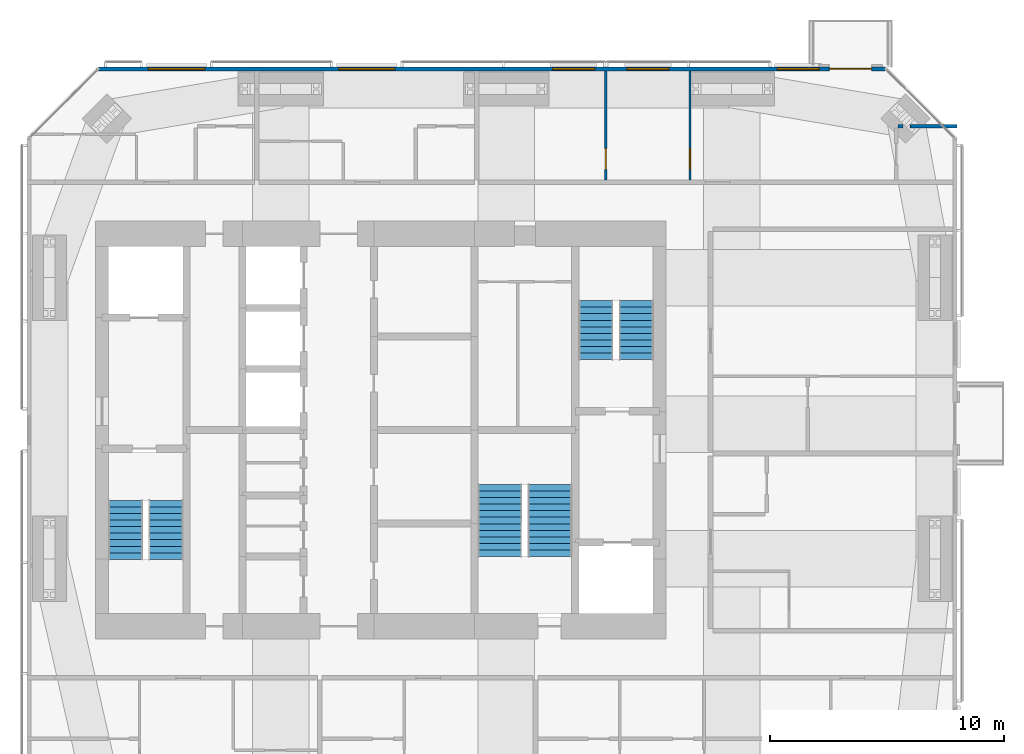
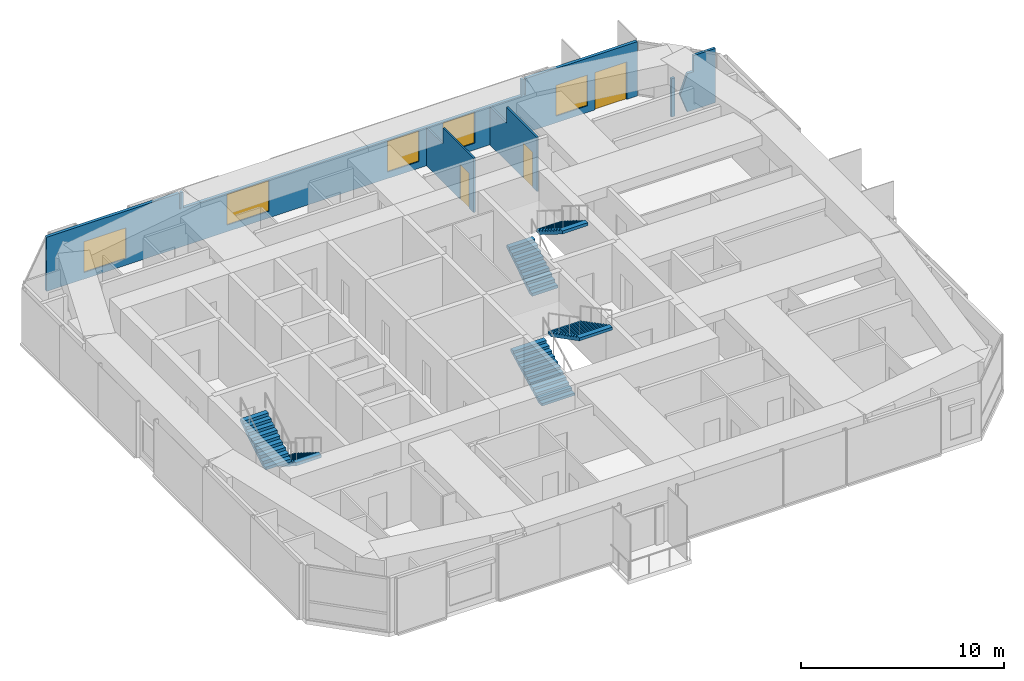
# One storey, part 17 of 18: 6 stair flights, 5 walls, 5 windows, 3 doors, 8 openings, 3 elements without a shape of their own.
"""IFC4 building model written with IfcOpenShell, lengths in metres."""

import ifcopenshell
import ifcopenshell.guid

model = None  # the IFC model being written
_history = None  # IfcOwnerHistory: only IFC2X3 demands one
_inside = {}  # id of a spatial element -> (the spatial element, [elements in it])
_under = {}  # id of a project, library or spatial element -> (it, [spatial elements below it])
_declared = {}  # id of a project -> (the project, [libraries it declares])
_typed = {}  # id of a type object -> (the type object, [elements of that type])
_made_of = {}  # id of a material, layer set ... -> (it, [elements and type objects made of it])


def new_model(schema):
    """Start an empty IFC model of exactly this schema.

    Asked for "IFC4X3", IfcOpenShell would pick the latest addendum, in which some entities
    have other attributes; the version numbers below select the first issue.
    IFC2X3 requires an IfcOwnerHistory on every rooted entity: one is made here for all.
    """
    global model, _history
    if schema == "IFC4X3":
        model = ifcopenshell.file(schema_version=(4, 3, 0, 0))
    else:
        model = ifcopenshell.file(schema=schema)
    _inside.clear()
    _under.clear()
    _declared.clear()
    _typed.clear()
    _made_of.clear()
    _history = None
    if model.schema == "IFC2X3":
        org = make("IfcOrganization", Name="unknown")
        user = make(
            "IfcPersonAndOrganization",
            ThePerson=make("IfcPerson", FamilyName="unknown"),
            TheOrganization=org,
        )
        app = make(
            "IfcApplication",
            ApplicationDeveloper=org,
            Version="unknown",
            ApplicationFullName="unknown",
            ApplicationIdentifier="unknown",
        )
        _history = make(
            "IfcOwnerHistory",
            OwningUser=user,
            OwningApplication=app,
            ChangeAction="ADDED",
            CreationDate=0,
        )
    return model


def make(cls, **values):
    """One entity of the class cls with the attributes given. An attribute that is None is left unset."""
    return model.create_entity(
        cls, **{name: value for name, value in values.items() if value is not None}
    )


def rooted(cls, **values):
    """An entity with a GlobalId (a new one), such as an element, a storey or a relation."""
    return make(cls, GlobalId=ifcopenshell.guid.new(), OwnerHistory=_history, **values)


def si_unit(unit_type, name, prefix=None):
    """IfcSIUnit, for example si_unit("LENGTHUNIT", "METRE", prefix="MILLI")."""
    return make("IfcSIUnit", UnitType=unit_type, Prefix=prefix, Name=name)


def assignment(units):
    """IfcUnitAssignment: the units of a project."""
    return None if units is None else make("IfcUnitAssignment", Units=units)


def point(xyz):
    """IfcCartesianPoint."""
    return None if xyz is None else make("IfcCartesianPoint", Coordinates=xyz)


def direction(xyz):
    """IfcDirection."""
    return None if xyz is None else make("IfcDirection", DirectionRatios=xyz)


def frame(location, z_axis=None, x_axis=None):
    """IfcAxis2Placement3D, a coordinate frame: its origin and axes. An axis left out is left unset."""
    return make(
        "IfcAxis2Placement3D",
        Location=point(location),
        Axis=direction(z_axis),
        RefDirection=direction(x_axis),
    )


def frame_2d(location, x_axis=None):
    """IfcAxis2Placement2D, a coordinate frame in the plane: its origin and x axis."""
    return make(
        "IfcAxis2Placement2D", Location=point(location), RefDirection=direction(x_axis)
    )


def origin():
    """The frame at (0, 0, 0) with its axes left unset."""
    return frame((0.0, 0.0, 0.0))


def place(relative_to, where):
    """IfcLocalPlacement: puts the frame where relative to a parent placement (None: the world)."""
    return make(
        "IfcLocalPlacement", PlacementRelTo=relative_to, RelativePlacement=where
    )


def context(
    kind, dimensions, precision=None, world=None, true_north=None, identifier=None
):
    """IfcGeometricRepresentationContext, for example the 3D "Model" context."""
    return make(
        "IfcGeometricRepresentationContext",
        ContextIdentifier=identifier,
        ContextType=kind,
        CoordinateSpaceDimension=dimensions,
        Precision=precision,
        WorldCoordinateSystem=world,
        TrueNorth=true_north,
    )


def subcontext(parent, identifier, kind, view, scale=None):
    """IfcGeometricRepresentationSubContext, for example "Body" below "Model"."""
    return make(
        "IfcGeometricRepresentationSubContext",
        ContextIdentifier=identifier,
        ContextType=kind,
        ParentContext=parent,
        TargetScale=scale,
        TargetView=view,
    )


def project(units=None, contexts=None):
    """IfcProject with its units and contexts."""
    return rooted(
        "IfcProject",
        Name="project",
        RepresentationContexts=contexts,
        UnitsInContext=assignment(units),
    )


def spatial(cls, under=None, at=None, **own):
    """A site, building, storey or space (cls), placed at a placement, below another one or the project."""
    s = rooted(cls, ObjectPlacement=at, **own)
    if under is not None:
        _under.setdefault(under.id(), (under, []))[1].append(s)
    return s


def polyline(points):
    """IfcPolyline through the points."""
    return make("IfcPolyline", Points=[point(p) for p in points])


def profile(cls, at=None, kind="AREA", **sizes):
    """A parametric profile (cls). Its sizes go by their IFC names, for example OverallWidth=200.0."""
    return make(cls, ProfileType=kind, Position=at, **sizes)


def rectangle(**sizes):
    """IfcRectangleProfileDef."""
    return profile("IfcRectangleProfileDef", **sizes)


def outline(outer, holes=None, kind="AREA"):
    """IfcArbitraryClosedProfileDef: a profile drawn as a closed curve; with holes, ...WithVoids."""
    if holes is None:
        return make("IfcArbitraryClosedProfileDef", ProfileType=kind, OuterCurve=outer)
    return make(
        "IfcArbitraryProfileDefWithVoids",
        ProfileType=kind,
        OuterCurve=outer,
        InnerCurves=holes,
    )


def extrude(swept, where, along, depth):
    """IfcExtrudedAreaSolid: the profile swept, set in the frame where, extruded along a direction by depth."""
    return make(
        "IfcExtrudedAreaSolid",
        SweptArea=swept,
        Position=where,
        ExtrudedDirection=direction(along),
        Depth=depth,
    )


def shape(context_of_items, identifier, shape_type, items):
    """IfcShapeRepresentation: the items that make up one representation, for example the "Body"."""
    return make(
        "IfcShapeRepresentation",
        ContextOfItems=context_of_items,
        RepresentationIdentifier=identifier,
        RepresentationType=shape_type,
        Items=items,
    )


def material(Name=None, Category=None):
    """IfcMaterial."""
    return make("IfcMaterial", Name=Name, Category=Category)


def constituent(of_material, Name=None, Category=None, fraction=None):
    """IfcMaterialConstituent: one of the materials an element consists of."""
    return make(
        "IfcMaterialConstituent",
        Name=Name,
        Material=of_material,
        Fraction=fraction,
        Category=Category,
    )


def constituent_set(constituents=None, Name=None):
    """IfcMaterialConstituentSet."""
    return make(
        "IfcMaterialConstituentSet", Name=Name, MaterialConstituents=constituents
    )


def made_of(thing, what):
    """Note that an element or type object is made of a material, layer set ...; save() writes the relation."""
    if what is not None:
        _made_of.setdefault(what.id(), (what, []))[1].append(thing)
    return thing


def type_object(cls, material=None, **own):
    """A type object (cls), such as IfcWallType, which elements share."""
    return made_of(rooted(cls, **own), material)


def element(
    cls,
    number,
    at=None,
    inside=None,
    cuts=None,
    type_object=None,
    material=None,
    context=None,
    identifier="Body",
    shape_type=None,
    held_by="IfcProductDefinitionShape",
    body=None,
    shapes=None,
    **own,
):
    """One element of the class cls, such as IfcWall. Its Tag is "e" and its number.

    at: its placement. inside: the storey or other place that contains it. cuts: it is an
    opening in that element (IfcRelVoidsElement). A single representation is given by context,
    identifier, shape_type and body (its items); several are given by shapes. held_by: the class
    of the entity that holds the representations. save() writes the other relations.
    """
    e = rooted(cls, Tag="e%d" % number, ObjectPlacement=at, **own)
    if body is not None:
        shapes = [shape(context, identifier, shape_type, body)]
    if shapes is not None:
        e.Representation = make(held_by, Representations=shapes)
    if inside is not None:
        _inside.setdefault(inside.id(), (inside, []))[1].append(e)
    if cuts is not None:
        rooted(
            "IfcRelVoidsElement", RelatingBuildingElement=cuts, RelatedOpeningElement=e
        )
    if type_object is not None:
        _typed.setdefault(type_object.id(), (type_object, []))[1].append(e)
    return made_of(e, material)


def fill(opening, filler):
    """IfcRelFillsElement: the door or window that sits in an opening."""
    return rooted(
        "IfcRelFillsElement",
        RelatingOpeningElement=opening,
        RelatedBuildingElement=filler,
    )


def aggregate(whole, parts):
    """IfcRelAggregates: a whole, such as a stair, and the parts it consists of."""
    return rooted("IfcRelAggregates", RelatingObject=whole, RelatedObjects=parts)


def save(model, path):
    """Write the relations noted so far, then the file.

    IfcRelAggregates (storeys below a building ...), IfcRelContainedInSpatialStructure (elements
    in a storey), IfcRelDefinesByType, IfcRelAssociatesMaterial and IfcRelDeclares: one each for
    every whole, place, type object, material and project.
    """
    for whole, parts in _under.values():
        aggregate(whole, parts)
    for where, things in _inside.values():
        rooted(
            "IfcRelContainedInSpatialStructure",
            RelatedElements=things,
            RelatingStructure=where,
        )
    for kind, things in _typed.values():
        rooted("IfcRelDefinesByType", RelatedObjects=things, RelatingType=kind)
    for what, things in _made_of.values():
        rooted("IfcRelAssociatesMaterial", RelatedObjects=things, RelatingMaterial=what)
    for by, libraries in _declared.values():
        rooted("IfcRelDeclares", RelatingContext=by, RelatedDefinitions=libraries)
    model.write(path)


model = new_model("IFC4")

# Units and contexts
model_context = context("Model", 3, precision=1e-05, world=origin(), true_north=direction((0.0, 1.0)))
body_context = subcontext(model_context, "Body", "Model", "MODEL_VIEW")
ifc_project = project(units=[si_unit("LENGTHUNIT", "METRE"), si_unit("AREAUNIT", "SQUARE_METRE"), si_unit("VOLUMEUNIT", "CUBIC_METRE"), si_unit("PLANEANGLEUNIT", "RADIAN"), si_unit("MASSUNIT", "GRAM", prefix="KILO")], contexts=[model_context])

# Site, building, storey
site_placement = place(None, origin())
site = spatial("IfcSite", under=ifc_project, at=site_placement, CompositionType="ELEMENT")
building_placement = place(site_placement, origin())
building = spatial("IfcBuilding", under=site, at=building_placement, Name="Jalousie Tower", CompositionType="ELEMENT")
storey_placement = place(building_placement, frame((0.0, 0.0, 235.449951171875)))
storey = spatial("IfcBuildingStorey", under=building, at=storey_placement, Name="L64", CompositionType="ELEMENT", Elevation=235.449951171875)

# Walls
ifc_material_1 = material(Name="Concrete block ASTM C90", Category="concrete")
ifc_constituent_1 = constituent(ifc_material_1, Name="Body")
ifc_material_2 = material(Name="Render")
ifc_constituent_2 = constituent(ifc_material_2, Name="Finish")
ifc_constituent_set_1 = constituent_set(constituents=[ifc_constituent_1, ifc_constituent_2])
wall_type_1 = type_object("IfcWallType", Name="BATHROOM WALL 150", PredefinedType="PLUMBINGWALL", material=ifc_constituent_set_1)
wall_1_placement = place(storey_placement, frame((53.97509765625, 31.47509765625, 0.0), z_axis=(0.0, 0.0, 1.0), x_axis=(1.0, 0.0, 0.0)))
element("IfcWall", 1, at=wall_1_placement, inside=storey, type_object=wall_type_1, Name="Bathroom Wall 150 L64-A", PredefinedType="PLUMBINGWALL", context=body_context, shape_type="SweptSolid", body=[
    extrude(rectangle(XDim=0.216796875, YDim=0.14990234375, at=frame_2d((0.1083984375, 0.0))), origin(), (0.0, 0.0, 1.0), 2.300048828125),
])
wall_2_placement = place(storey_placement, frame((54.4833984375, 31.47509765625, 0.0), z_axis=(0.0, 0.0, 1.0), x_axis=(1.0, 0.0, 0.0)))
element("IfcWall", 2, at=wall_2_placement, inside=storey, type_object=wall_type_1, Name="Bathroom Wall 150 L64-B", PredefinedType="PLUMBINGWALL", context=body_context, shape_type="SweptSolid", body=[
    extrude(outline(polyline([(0.768310546875, 3.260009765625), (0.768310546875, 2.300048828125), (0.4072265625, 2.300048828125), (0.39599609375, 2.2392578125), (0.0, 1.150146484375), (0.39599609375, 0.06103515625), (0.4072265625, 0.0), (2.0166015625, 0.0), (2.0166015625, 3.260009765625), (0.768310546875, 3.260009765625)])), frame((0.0, 0.074951171875, 0.0), z_axis=(0.0, -1.0, 0.0), x_axis=(1.0, 0.0, 0.0)), (0.0, 0.0, 1.0), 0.14990234375),
])

# Wall, openings, door, windows
ifc_material_3 = material(Name="Concrete f'c 40 MPa", Category="concrete")
ifc_constituent_3 = constituent(ifc_material_3, Name="Body")
ifc_material_4 = material(Name="Render, pastel sky blue")
ifc_constituent_4 = constituent(ifc_material_4, Name="Finish")
ifc_constituent_set_2 = constituent_set(constituents=[ifc_constituent_3, ifc_constituent_4])
wall_type_2 = type_object("IfcWallType", Name="EXTERNAL WALL 175 SKY BLUE RENDER", PredefinedType="SOLIDWALL", material=ifc_constituent_set_2)
wall_3_placement = place(storey_placement, frame((53.44873046875, 33.91259765625, 0.0), z_axis=(0.0, 0.0, 1.0), x_axis=(-1.0, 0.0, 0.0)))
wall_3 = element("IfcWall", 3, at=wall_3_placement, inside=storey, type_object=wall_type_2, Name="External Wall 175 Sky Blue Render L64", PredefinedType="SOLIDWALL", context=body_context, shape_type="SweptSolid", body=[
    extrude(outline(polyline([(0.0, 0.0), (33.597412109375, 0.0), (33.597412109375, 3.260009765625), (26.03857421875, 3.260009765625), (26.03857421875, 2.300048828125), (25.955078125, 2.300048828125), (25.955078125, 3.260009765625), (25.82373046875, 3.260009765625), (25.82373046875, 2.300048828125), (6.57373046875, 2.300048828125), (6.57373046875, 3.260009765625), (6.4423828125, 3.260009765625), (6.4423828125, 2.300048828125), (6.35888671875, 2.300048828125), (6.35888671875, 3.260009765625), (0.0, 3.260009765625), (0.0, 0.0)])), frame((0.0, 0.08740234375, 0.0), z_axis=(0.0, -1.0, 0.0), x_axis=(1.0, 0.0, 0.0)), (0.0, 0.0, 1.0), 0.175048828125),
])
opening_1_placement = place(wall_3_placement, frame((0.60009765625, 0.0, 0.0)))
opening_1 = element("IfcOpeningElement", 4, at=opening_1_placement, cuts=wall_3, Name="Opening D-BAL22", PredefinedType="OPENING", context=body_context, shape_type="SweptSolid", body=[
    extrude(rectangle(XDim=1.800048828125, YDim=2.25, at=frame_2d((0.89990234375, 1.125))), frame((0.0, 0.097412109375, 0.0), z_axis=(0.0, -1.0, 0.0), x_axis=(1.0, 0.0, 0.0)), (0.0, 0.0, 1.0), 0.195068359375),
])
opening_2_placement = place(wall_3_placement, frame((2.835205078125, 0.0, 0.39990234375)))
opening_2 = element("IfcOpeningElement", 5, at=opening_2_placement, cuts=wall_3, Name="Opening W-BED185", PredefinedType="OPENING", context=body_context, shape_type="SweptSolid", body=[
    extrude(rectangle(XDim=1.800048828125, YDim=1.85009765625, at=frame_2d((0.89990234375, 0.925048828125))), frame((0.0, 0.097412109375, 0.0), z_axis=(0.0, -1.0, 0.0), x_axis=(1.0, 0.0, 0.0)), (0.0, 0.0, 1.0), 0.195068359375),
])
opening_3_placement = place(wall_3_placement, frame((9.248779296875, 0.0, 0.39990234375)))
opening_3 = element("IfcOpeningElement", 6, at=opening_3_placement, cuts=wall_3, Name="Opening W-BED185", PredefinedType="OPENING", context=body_context, shape_type="SweptSolid", body=[
    extrude(rectangle(XDim=1.800048828125, YDim=1.85009765625, at=frame_2d((0.89990234375, 0.925048828125))), frame((0.0, 0.097412109375, 0.0), z_axis=(0.0, -1.0, 0.0), x_axis=(1.0, 0.0, 0.0)), (0.0, 0.0, 1.0), 0.195068359375),
])
opening_4_placement = place(wall_3_placement, frame((12.419921875, 0.0, 0.39990234375)))
opening_4 = element("IfcOpeningElement", 7, at=opening_4_placement, cuts=wall_3, Name="Opening W-BED185", PredefinedType="OPENING", context=body_context, shape_type="SweptSolid", body=[
    extrude(rectangle(XDim=1.800048828125, YDim=1.85009765625, at=frame_2d((0.89990234375, 0.925048828125))), frame((0.0, 0.097412109375, 0.0), z_axis=(0.0, -1.0, 0.0), x_axis=(1.0, 0.0, 0.0)), (0.0, 0.0, 1.0), 0.195068359375),
])
opening_5_placement = place(wall_3_placement, frame((20.94873046875, 0.0, 0.39990234375)))
opening_5 = element("IfcOpeningElement", 8, at=opening_5_placement, cuts=wall_3, Name="Opening W-LIV185", PredefinedType="OPENING", context=body_context, shape_type="SweptSolid", body=[
    extrude(rectangle(XDim=2.39990234375, YDim=1.85009765625, at=frame_2d((1.199951171875, 0.925048828125))), frame((0.0, 0.097412109375, 0.0), z_axis=(0.0, -1.0, 0.0), x_axis=(1.0, 0.0, 0.0)), (0.0, 0.0, 1.0), 0.195068359375),
])
opening_6_placement = place(wall_3_placement, frame((29.072998046875, 0.0, 0.39990234375)))
opening_6 = element("IfcOpeningElement", 9, at=opening_6_placement, cuts=wall_3, Name="Opening W-LIV185", PredefinedType="OPENING", context=body_context, shape_type="SweptSolid", body=[
    extrude(rectangle(XDim=2.39990234375, YDim=1.85009765625, at=frame_2d((1.199951171875, 0.925048828125))), frame((0.0, 0.097412109375, 0.0), z_axis=(0.0, -1.0, 0.0), x_axis=(1.0, 0.0, 0.0)), (0.0, 0.0, 1.0), 0.195068359375),
])
ifc_material_5 = material(Name="Aluminium frame, impact-rated glazing", Category="aluminium")
door_type_1 = type_object("IfcDoorType", Name="BALCONY DOOR 1800x2250", OperationType="SLIDING_TO_LEFT", PredefinedType="DOOR", material=ifc_material_5)
door_1_placement = place(opening_1_placement, origin())
door_1 = element("IfcDoor", 10, at=door_1_placement, inside=storey, type_object=door_type_1, Name="Apartment 6406 living, dining and kitchen balcony door", OperationType="SLIDING_TO_LEFT", OverallHeight=2.25, OverallWidth=1.800048828125, PredefinedType="DOOR", context=body_context, shape_type="SweptSolid", body=[
    extrude(rectangle(XDim=1.800048828125, YDim=2.25, at=frame_2d((0.89990234375, 1.125))), frame((0.0, 0.02490234375, 0.0), z_axis=(0.0, -1.0, 0.0), x_axis=(1.0, 0.0, 0.0)), (0.0, 0.0, 1.0), 0.050048828125),
])
fill(opening_1, door_1)
ifc_material_6 = material(Name="Aluminium frame, impact-rated glazing", Category="aluminium")
window_type_1 = type_object("IfcWindowType", Name="WINDOW BED 1800x1850", PartitioningType="SINGLE_PANEL", PredefinedType="WINDOW", material=ifc_material_6)
window_1_placement = place(opening_2_placement, origin())
window_1 = element("IfcWindow", 11, at=window_1_placement, inside=storey, type_object=window_type_1, Name="Apartment 6406 living, dining and kitchen window", OverallHeight=1.85009765625, OverallWidth=1.800048828125, PartitioningType="SINGLE_PANEL", PredefinedType="WINDOW", context=body_context, shape_type="SweptSolid", body=[
    extrude(rectangle(XDim=1.800048828125, YDim=1.85009765625, at=frame_2d((0.89990234375, 0.925048828125))), frame((0.0, 0.030029296875, 0.0), z_axis=(0.0, -1.0, 0.0), x_axis=(1.0, 0.0, 0.0)), (0.0, 0.0, 1.0), 0.06005859375),
])
fill(opening_2, window_1)
window_2_placement = place(opening_3_placement, origin())
window_2 = element("IfcWindow", 12, at=window_2_placement, inside=storey, type_object=window_type_1, Name="Apartment 6406 bedroom 2 window", OverallHeight=1.85009765625, OverallWidth=1.800048828125, PartitioningType="SINGLE_PANEL", PredefinedType="WINDOW", context=body_context, shape_type="SweptSolid", body=[
    extrude(rectangle(XDim=1.800048828125, YDim=1.85009765625, at=frame_2d((0.89990234375, 0.925048828125))), frame((0.0, 0.030029296875, 0.0), z_axis=(0.0, -1.0, 0.0), x_axis=(1.0, 0.0, 0.0)), (0.0, 0.0, 1.0), 0.06005859375),
])
fill(opening_3, window_2)
window_3_placement = place(opening_4_placement, origin())
window_3 = element("IfcWindow", 13, at=window_3_placement, inside=storey, type_object=window_type_1, Name="Apartment 6406 bedroom 1 window", OverallHeight=1.85009765625, OverallWidth=1.800048828125, PartitioningType="SINGLE_PANEL", PredefinedType="WINDOW", context=body_context, shape_type="SweptSolid", body=[
    extrude(rectangle(XDim=1.800048828125, YDim=1.85009765625, at=frame_2d((0.89990234375, 0.925048828125))), frame((0.0, 0.030029296875, 0.0), z_axis=(0.0, -1.0, 0.0), x_axis=(1.0, 0.0, 0.0)), (0.0, 0.0, 1.0), 0.06005859375),
])
fill(opening_4, window_3)
ifc_material_7 = material(Name="Aluminium frame, impact-rated glazing", Category="aluminium")
window_type_2 = type_object("IfcWindowType", Name="WINDOW LIV 2400x1850", PartitioningType="DOUBLE_PANEL_VERTICAL", PredefinedType="WINDOW", material=ifc_material_7)
window_4_placement = place(opening_5_placement, origin())
window_4 = element("IfcWindow", 14, at=window_4_placement, inside=storey, type_object=window_type_2, Name="Apartment 6405 studio living and sleeping room window", OverallHeight=1.85009765625, OverallWidth=2.39990234375, PartitioningType="SINGLE_PANEL", PredefinedType="WINDOW", context=body_context, shape_type="SweptSolid", body=[
    extrude(rectangle(XDim=2.39990234375, YDim=1.85009765625, at=frame_2d((1.199951171875, 0.925048828125))), frame((0.0, 0.030029296875, 0.0), z_axis=(0.0, -1.0, 0.0), x_axis=(1.0, 0.0, 0.0)), (0.0, 0.0, 1.0), 0.06005859375),
])
fill(opening_5, window_4)
window_5_placement = place(opening_6_placement, origin())
window_5 = element("IfcWindow", 15, at=window_5_placement, inside=storey, type_object=window_type_2, Name="Apartment 6404 studio living and sleeping room window", OverallHeight=1.85009765625, OverallWidth=2.39990234375, PartitioningType="SINGLE_PANEL", PredefinedType="WINDOW", context=body_context, shape_type="SweptSolid", body=[
    extrude(rectangle(XDim=2.39990234375, YDim=1.85009765625, at=frame_2d((1.199951171875, 0.925048828125))), frame((0.0, 0.030029296875, 0.0), z_axis=(0.0, -1.0, 0.0), x_axis=(1.0, 0.0, 0.0)), (0.0, 0.0, 1.0), 0.06005859375),
])
fill(opening_6, window_5)

# Wall, opening, door
ifc_material_8 = material(Name="Gypsum board", Category="gypsum")
ifc_constituent_5 = constituent(ifc_material_8, Name="Body")
ifc_material_9 = material(Name="Light-gauge steel studs ASTM A653 SS Grade 33", Category="steel")
ifc_constituent_6 = constituent(ifc_material_9, Name="Framing")
ifc_constituent_set_3 = constituent_set(constituents=[ifc_constituent_5, ifc_constituent_6])
wall_type_3 = type_object("IfcWallType", Name="PARTITION 100", PredefinedType="PARTITIONING", material=ifc_constituent_set_3)
wall_4_placement = place(storey_placement, frame((41.5, 33.824951171875, 0.0), z_axis=(0.0, 0.0, 1.0), x_axis=(0.0, -1.0, 0.0)))
wall_4 = element("IfcWall", 16, at=wall_4_placement, inside=storey, type_object=wall_type_3, Name="Partition 100 L64", PredefinedType="PARTITIONING", context=body_context, shape_type="SweptSolid", body=[
    extrude(outline(polyline([(0.0, 0.0), (4.64990234375, 0.0), (4.64990234375, 3.260009765625), (1.635009765625, 3.260009765625), (1.635009765625, 2.300048828125), (0.0, 2.300048828125), (0.0, 3.260009765625), (0.0, 0.0)])), frame((0.0, 0.050048828125, 0.0), z_axis=(0.0, -1.0, 0.0), x_axis=(1.0, 0.0, 0.0)), (0.0, 0.0, 1.0), 0.10009765625),
])
opening_7_placement = place(wall_4_placement, frame((3.300048828125, 0.0, 0.0)))
opening_7 = element("IfcOpeningElement", 17, at=opening_7_placement, cuts=wall_4, Name="Opening D2", PredefinedType="OPENING", context=body_context, shape_type="SweptSolid", body=[
    extrude(rectangle(XDim=0.89990234375, YDim=2.10009765625, at=frame_2d((0.449951171875, 1.050048828125))), frame((0.0, 0.06005859375, 0.0), z_axis=(0.0, -1.0, 0.0), x_axis=(1.0, 0.0, 0.0)), (0.0, 0.0, 1.0), 0.1201171875),
])
ifc_material_10 = material(Name="Timber door", Category="wood")
door_type_2 = type_object("IfcDoorType", Name="BEDROOM DOOR 900", OperationType="SINGLE_SWING_LEFT", PredefinedType="DOOR", material=ifc_material_10)
door_2_placement = place(opening_7_placement, frame((0.89990234375, 0.0, 0.0), z_axis=(0.0, 0.0, 1.0), x_axis=(-1.0, 0.0, 0.0)))
door_2 = element("IfcDoor", 18, at=door_2_placement, inside=storey, type_object=door_type_2, Name="Apartment 6406 bedroom 1 door", OperationType="SINGLE_SWING_LEFT", OverallHeight=2.10009765625, OverallWidth=0.89990234375, PredefinedType="DOOR", context=body_context, shape_type="SweptSolid", body=[
    extrude(rectangle(XDim=0.89990234375, YDim=2.10009765625, at=frame_2d((0.449951171875, 1.050048828125))), frame((0.0, 0.02490234375, 0.0), z_axis=(0.0, -1.0, 0.0), x_axis=(1.0, 0.0, 0.0)), (0.0, 0.0, 1.0), 0.050048828125),
])
fill(opening_7, door_2)

wall_5_placement = place(storey_placement, frame((45.10009765625, 33.824951171875, 0.0), z_axis=(0.0, 0.0, 1.0), x_axis=(0.0, -1.0, 0.0)))
wall_5 = element("IfcWall", 19, at=wall_5_placement, inside=storey, type_object=wall_type_3, Name="Partition 100 L64", PredefinedType="PARTITIONING", context=body_context, shape_type="SweptSolid", body=[
    extrude(outline(polyline([(0.0, 0.0), (4.64990234375, 0.0), (4.64990234375, 3.260009765625), (1.635009765625, 3.260009765625), (1.635009765625, 2.300048828125), (0.0, 2.300048828125), (0.0, 3.260009765625), (0.0, 0.0)])), frame((0.0, 0.050048828125, 0.0), z_axis=(0.0, -1.0, 0.0), x_axis=(1.0, 0.0, 0.0)), (0.0, 0.0, 1.0), 0.10009765625),
])
opening_8_placement = place(wall_5_placement, frame((3.300048828125, 0.0, 0.0)))
opening_8 = element("IfcOpeningElement", 20, at=opening_8_placement, cuts=wall_5, Name="Opening D2", PredefinedType="OPENING", context=body_context, shape_type="SweptSolid", body=[
    extrude(rectangle(XDim=0.89990234375, YDim=2.10009765625, at=frame_2d((0.449951171875, 1.050048828125))), frame((0.0, 0.06005859375, 0.0), z_axis=(0.0, -1.0, 0.0), x_axis=(1.0, 0.0, 0.0)), (0.0, 0.0, 1.0), 0.1201171875),
])
door_3_placement = place(opening_8_placement, frame((0.89990234375, 0.0, 0.0), z_axis=(0.0, 0.0, 1.0), x_axis=(-1.0, 0.0, 0.0)))
door_3 = element("IfcDoor", 21, at=door_3_placement, inside=storey, type_object=door_type_2, Name="Apartment 6406 bedroom 2 door", OperationType="SINGLE_SWING_LEFT", OverallHeight=2.10009765625, OverallWidth=0.89990234375, PredefinedType="DOOR", context=body_context, shape_type="SweptSolid", body=[
    extrude(rectangle(XDim=0.89990234375, YDim=2.10009765625, at=frame_2d((0.449951171875, 1.050048828125))), frame((0.0, 0.02490234375, 0.0), z_axis=(0.0, -1.0, 0.0), x_axis=(1.0, 0.0, 0.0)), (0.0, 0.0, 1.0), 0.050048828125),
])
fill(opening_8, door_3)

# Stair, stair flights
ifc_material_11 = material(Name="Concrete f'c 40 MPa", Category="concrete")
stair_type = type_object("IfcStairType", Name="EXIT STAIR", PredefinedType="HALF_TURN_STAIR", material=ifc_material_11)
stair_1_placement = place(storey_placement, origin())
stair_1 = element("IfcStair", 22, at=stair_1_placement, inside=storey, type_object=stair_type, Name="Exit stair A L64", PredefinedType="HALF_TURN_STAIR")
ifc_material_12 = material(Name="Concrete f'c 40 MPa", Category="concrete")
stair_flight_type = type_object("IfcStairFlightType", Name="STAIR FLIGHT", PredefinedType="STRAIGHT", material=ifc_material_12)
stair_flight_1_placement = place(storey_placement, frame((22.71875, 15.49755859375, 0.0), z_axis=(0.0, 0.0, 1.0), x_axis=(0.0, -1.0, 0.0)))
stair_flight_1 = element("IfcStairFlight", 23, at=stair_flight_1_placement, type_object=stair_flight_type, Name="ST-A flight 1", NumberOfRisers=10, NumberOfTreads=9, PredefinedType="STRAIGHT", RiserHeight=0.175, TreadLength=0.28, context=body_context, shape_type="SweptSolid", body=[
    extrude(outline(polyline([(0.0, 0.0), (0.0, 0.175048828125), (0.280029296875, 0.175048828125), (0.280029296875, 0.35009765625), (0.56005859375, 0.35009765625), (0.56005859375, 0.52490234375), (0.840087890625, 0.52490234375), (0.840087890625, 0.699951171875), (1.1201171875, 0.699951171875), (1.1201171875, 0.875), (1.39990234375, 0.875), (1.39990234375, 1.050048828125), (1.679931640625, 1.050048828125), (1.679931640625, 1.22509765625), (1.9599609375, 1.22509765625), (1.9599609375, 1.39990234375), (2.239990234375, 1.39990234375), (2.239990234375, 1.574951171875), (2.52001953125, 1.574951171875), (2.52001953125, 1.75), (2.52001953125, 1.398193359375), (0.28271484375, 0.0), (0.0, 0.0)])), frame((0.0, 0.731201171875, 0.0), z_axis=(0.0, -1.0, 0.0), x_axis=(1.0, 0.0, 0.0)), (0.0, 0.0, 1.0), 1.46240234375),
])
stair_flight_2_placement = place(storey_placement, frame((21.00634765625, 12.9775390625, 1.75), z_axis=(0.0, 0.0, 1.0), x_axis=(0.0, 1.0, 0.0)))
stair_flight_2 = element("IfcStairFlight", 24, at=stair_flight_2_placement, type_object=stair_flight_type, Name="ST-A flight 2", NumberOfRisers=10, NumberOfTreads=9, PredefinedType="STRAIGHT", RiserHeight=0.175, TreadLength=0.28, context=body_context, shape_type="SweptSolid", body=[
    extrude(outline(polyline([(0.0, 0.0), (0.0, 0.175048828125), (0.280029296875, 0.175048828125), (0.280029296875, 0.35009765625), (0.56005859375, 0.35009765625), (0.56005859375, 0.52490234375), (0.840087890625, 0.52490234375), (0.840087890625, 0.699951171875), (1.1201171875, 0.699951171875), (1.1201171875, 0.875), (1.39990234375, 0.875), (1.39990234375, 1.050048828125), (1.679931640625, 1.050048828125), (1.679931640625, 1.22509765625), (1.9599609375, 1.22509765625), (1.9599609375, 1.39990234375), (2.239990234375, 1.39990234375), (2.239990234375, 1.574951171875), (2.52001953125, 1.574951171875), (2.52001953125, 1.75), (2.52001953125, 1.398193359375), (0.28271484375, 0.0), (0.0, 0.0)])), frame((0.0, 0.731201171875, 0.0), z_axis=(0.0, -1.0, 0.0), x_axis=(1.0, 0.0, 0.0)), (0.0, 0.0, 1.0), 1.46240234375),
])
aggregate(stair_1, [stair_flight_1, stair_flight_2])

stair_2_placement = place(storey_placement, origin())
stair_2 = element("IfcStair", 25, at=stair_2_placement, inside=storey, type_object=stair_type, Name="Exit stair B L64", PredefinedType="HALF_TURN_STAIR")
stair_flight_3_placement = place(storey_placement, frame((41.081298828125, 21.50244140625, 0.0), z_axis=(0.0, 0.0, 1.0), x_axis=(0.0, 1.0, 0.0)))
stair_flight_3 = element("IfcStairFlight", 26, at=stair_flight_3_placement, type_object=stair_flight_type, Name="ST-B flight 1", NumberOfRisers=10, NumberOfTreads=9, PredefinedType="STRAIGHT", RiserHeight=0.175, TreadLength=0.28, context=body_context, shape_type="SweptSolid", body=[
    extrude(outline(polyline([(0.0, 0.0), (0.0, 0.175048828125), (0.280029296875, 0.175048828125), (0.280029296875, 0.35009765625), (0.56005859375, 0.35009765625), (0.56005859375, 0.52490234375), (0.840087890625, 0.52490234375), (0.840087890625, 0.699951171875), (1.1201171875, 0.699951171875), (1.1201171875, 0.875), (1.39990234375, 0.875), (1.39990234375, 1.050048828125), (1.679931640625, 1.050048828125), (1.679931640625, 1.22509765625), (1.9599609375, 1.22509765625), (1.9599609375, 1.39990234375), (2.239990234375, 1.39990234375), (2.239990234375, 1.574951171875), (2.52001953125, 1.574951171875), (2.52001953125, 1.75), (2.52001953125, 1.398193359375), (0.28271484375, 0.0), (0.0, 0.0)])), frame((0.0, 0.731201171875, 0.0), z_axis=(0.0, -1.0, 0.0), x_axis=(1.0, 0.0, 0.0)), (0.0, 0.0, 1.0), 1.46240234375),
])
stair_flight_4_placement = place(storey_placement, frame((42.793701171875, 24.0224609375, 1.75), z_axis=(0.0, 0.0, 1.0), x_axis=(0.0, -1.0, 0.0)))
stair_flight_4 = element("IfcStairFlight", 27, at=stair_flight_4_placement, type_object=stair_flight_type, Name="ST-B flight 2", NumberOfRisers=10, NumberOfTreads=9, PredefinedType="STRAIGHT", RiserHeight=0.175, TreadLength=0.28, context=body_context, shape_type="SweptSolid", body=[
    extrude(outline(polyline([(0.0, 0.0), (0.0, 0.175048828125), (0.280029296875, 0.175048828125), (0.280029296875, 0.35009765625), (0.56005859375, 0.35009765625), (0.56005859375, 0.52490234375), (0.840087890625, 0.52490234375), (0.840087890625, 0.699951171875), (1.1201171875, 0.699951171875), (1.1201171875, 0.875), (1.39990234375, 0.875), (1.39990234375, 1.050048828125), (1.679931640625, 1.050048828125), (1.679931640625, 1.22509765625), (1.9599609375, 1.22509765625), (1.9599609375, 1.39990234375), (2.239990234375, 1.39990234375), (2.239990234375, 1.574951171875), (2.52001953125, 1.574951171875), (2.52001953125, 1.75), (2.52001953125, 1.398193359375), (0.28271484375, 0.0), (0.0, 0.0)])), frame((0.0, 0.731201171875, 0.0), z_axis=(0.0, -1.0, 0.0), x_axis=(1.0, 0.0, 0.0)), (0.0, 0.0, 1.0), 1.46240234375),
])
aggregate(stair_2, [stair_flight_3, stair_flight_4])

stair_3_placement = place(storey_placement, origin())
stair_3 = element("IfcStair", 28, at=stair_3_placement, inside=storey, type_object=stair_type, Name="Exit stair C L64", PredefinedType="HALF_TURN_STAIR")
stair_flight_5_placement = place(storey_placement, frame((36.987548828125, 13.097412109375, 0.0), z_axis=(0.0, 0.0, 1.0), x_axis=(0.0, 1.0, 0.0)))
stair_flight_5 = element("IfcStairFlight", 29, at=stair_flight_5_placement, type_object=stair_flight_type, Name="ST-C flight 1", NumberOfRisers=12, NumberOfTreads=11, PredefinedType="STRAIGHT", RiserHeight=0.145833333, TreadLength=0.28, context=body_context, shape_type="SweptSolid", body=[
    extrude(outline(polyline([(0.0, 0.0), (0.0, 0.145751953125), (0.280029296875, 0.145751953125), (0.280029296875, 0.291748046875), (0.56005859375, 0.291748046875), (0.56005859375, 0.4375), (0.840087890625, 0.4375), (0.840087890625, 0.583251953125), (1.1201171875, 0.583251953125), (1.1201171875, 0.729248046875), (1.39990234375, 0.729248046875), (1.39990234375, 0.875), (1.679931640625, 0.875), (1.679931640625, 1.020751953125), (1.9599609375, 1.020751953125), (1.9599609375, 1.166748046875), (2.239990234375, 1.166748046875), (2.239990234375, 1.3125), (2.52001953125, 1.3125), (2.52001953125, 1.458251953125), (2.800048828125, 1.458251953125), (2.800048828125, 1.604248046875), (3.080078125, 1.604248046875), (3.080078125, 1.75), (3.080078125, 1.43505859375), (0.324462890625, 0.0), (0.0, 0.0)])), frame((0.0, 0.9375, 0.0), z_axis=(0.0, -1.0, 0.0), x_axis=(1.0, 0.0, 0.0)), (0.0, 0.0, 1.0), 1.875),
])
stair_flight_6_placement = place(storey_placement, frame((39.112548828125, 16.177490234375, 1.75), z_axis=(0.0, 0.0, 1.0), x_axis=(0.0, -1.0, 0.0)))
stair_flight_6 = element("IfcStairFlight", 30, at=stair_flight_6_placement, type_object=stair_flight_type, Name="ST-C flight 2", NumberOfRisers=12, NumberOfTreads=11, PredefinedType="STRAIGHT", RiserHeight=0.145833333, TreadLength=0.28, context=body_context, shape_type="SweptSolid", body=[
    extrude(outline(polyline([(0.0, 0.0), (0.0, 0.145751953125), (0.280029296875, 0.145751953125), (0.280029296875, 0.291748046875), (0.56005859375, 0.291748046875), (0.56005859375, 0.4375), (0.840087890625, 0.4375), (0.840087890625, 0.583251953125), (1.1201171875, 0.583251953125), (1.1201171875, 0.729248046875), (1.39990234375, 0.729248046875), (1.39990234375, 0.875), (1.679931640625, 0.875), (1.679931640625, 1.020751953125), (1.9599609375, 1.020751953125), (1.9599609375, 1.166748046875), (2.239990234375, 1.166748046875), (2.239990234375, 1.3125), (2.52001953125, 1.3125), (2.52001953125, 1.458251953125), (2.800048828125, 1.458251953125), (2.800048828125, 1.604248046875), (3.080078125, 1.604248046875), (3.080078125, 1.75), (3.080078125, 1.43505859375), (0.324462890625, 0.0), (0.0, 0.0)])), frame((0.0, 0.9375, 0.0), z_axis=(0.0, -1.0, 0.0), x_axis=(1.0, 0.0, 0.0)), (0.0, 0.0, 1.0), 1.875),
])
aggregate(stair_3, [stair_flight_5, stair_flight_6])

save(model, "model.ifc")
